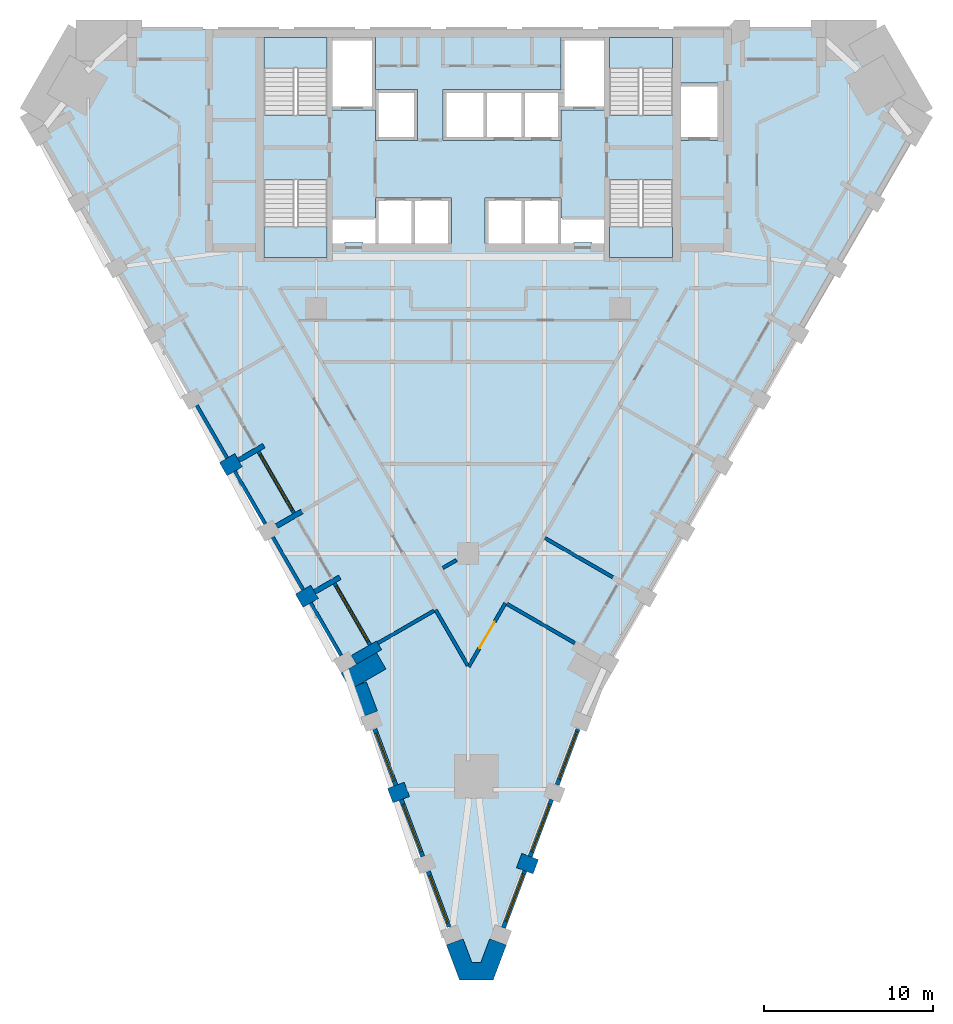
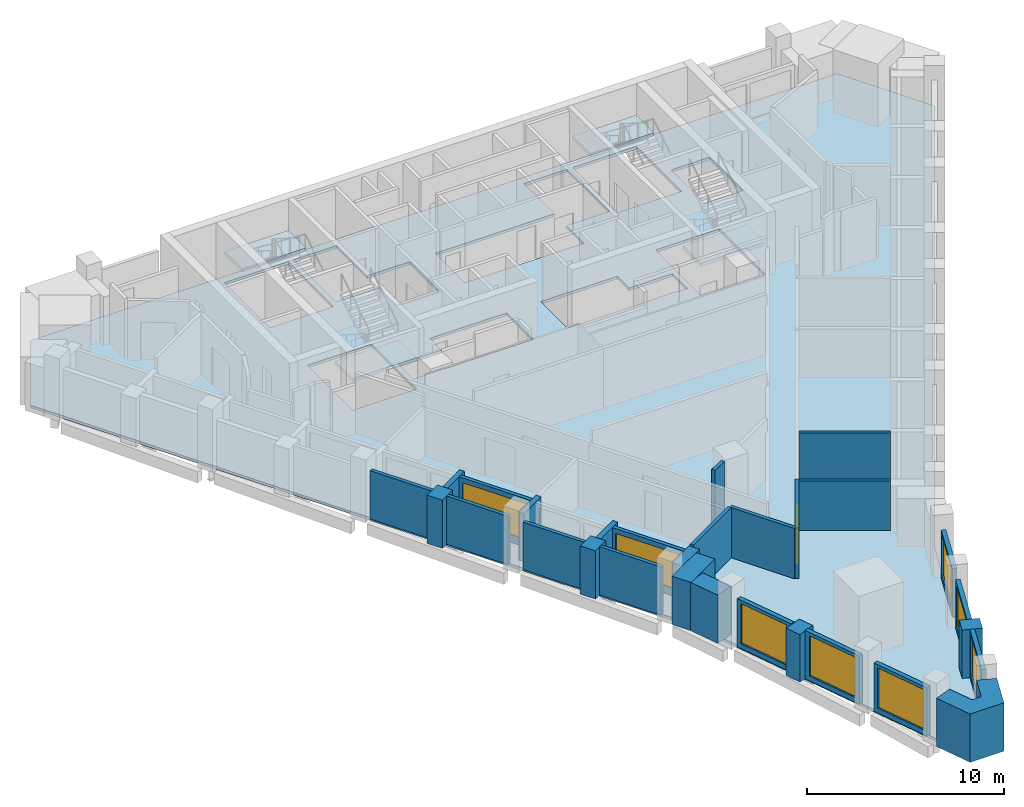
# One storey, part 2 of 9: 29 walls, 8 windows, 5 slabs, 1 door, 9 openings, 4 elements without a shape of their own.
"""IFC4 building model written with IfcOpenShell, lengths in metres."""

import ifcopenshell
import ifcopenshell.guid

model = None  # the IFC model being written
_history = None  # IfcOwnerHistory: only IFC2X3 demands one
_inside = {}  # id of a spatial element -> (the spatial element, [elements in it])
_under = {}  # id of a project, library or spatial element -> (it, [spatial elements below it])
_declared = {}  # id of a project -> (the project, [libraries it declares])
_typed = {}  # id of a type object -> (the type object, [elements of that type])
_made_of = {}  # id of a material, layer set ... -> (it, [elements and type objects made of it])


def new_model(schema):
    """Start an empty IFC model of exactly this schema.

    Asked for "IFC4X3", IfcOpenShell would pick the latest addendum, in which some entities
    have other attributes; the version numbers below select the first issue.
    IFC2X3 requires an IfcOwnerHistory on every rooted entity: one is made here for all.
    """
    global model, _history
    if schema == "IFC4X3":
        model = ifcopenshell.file(schema_version=(4, 3, 0, 0))
    else:
        model = ifcopenshell.file(schema=schema)
    _inside.clear()
    _under.clear()
    _declared.clear()
    _typed.clear()
    _made_of.clear()
    _history = None
    if model.schema == "IFC2X3":
        org = make("IfcOrganization", Name="unknown")
        user = make(
            "IfcPersonAndOrganization",
            ThePerson=make("IfcPerson", FamilyName="unknown"),
            TheOrganization=org,
        )
        app = make(
            "IfcApplication",
            ApplicationDeveloper=org,
            Version="unknown",
            ApplicationFullName="unknown",
            ApplicationIdentifier="unknown",
        )
        _history = make(
            "IfcOwnerHistory",
            OwningUser=user,
            OwningApplication=app,
            ChangeAction="ADDED",
            CreationDate=0,
        )
    return model


def make(cls, **values):
    """One entity of the class cls with the attributes given. An attribute that is None is left unset."""
    return model.create_entity(
        cls, **{name: value for name, value in values.items() if value is not None}
    )


def rooted(cls, **values):
    """An entity with a GlobalId (a new one), such as an element, a storey or a relation."""
    return make(cls, GlobalId=ifcopenshell.guid.new(), OwnerHistory=_history, **values)


def si_unit(unit_type, name, prefix=None):
    """IfcSIUnit, for example si_unit("LENGTHUNIT", "METRE", prefix="MILLI")."""
    return make("IfcSIUnit", UnitType=unit_type, Prefix=prefix, Name=name)


def assignment(units):
    """IfcUnitAssignment: the units of a project."""
    return None if units is None else make("IfcUnitAssignment", Units=units)


def point(xyz):
    """IfcCartesianPoint."""
    return None if xyz is None else make("IfcCartesianPoint", Coordinates=xyz)


def direction(xyz):
    """IfcDirection."""
    return None if xyz is None else make("IfcDirection", DirectionRatios=xyz)


def frame(location, z_axis=None, x_axis=None):
    """IfcAxis2Placement3D, a coordinate frame: its origin and axes. An axis left out is left unset."""
    return make(
        "IfcAxis2Placement3D",
        Location=point(location),
        Axis=direction(z_axis),
        RefDirection=direction(x_axis),
    )


def frame_2d(location, x_axis=None):
    """IfcAxis2Placement2D, a coordinate frame in the plane: its origin and x axis."""
    return make(
        "IfcAxis2Placement2D", Location=point(location), RefDirection=direction(x_axis)
    )


def origin():
    """The frame at (0, 0, 0) with its axes left unset."""
    return frame((0.0, 0.0, 0.0))


def place(relative_to, where):
    """IfcLocalPlacement: puts the frame where relative to a parent placement (None: the world)."""
    return make(
        "IfcLocalPlacement", PlacementRelTo=relative_to, RelativePlacement=where
    )


def context(
    kind, dimensions, precision=None, world=None, true_north=None, identifier=None
):
    """IfcGeometricRepresentationContext, for example the 3D "Model" context."""
    return make(
        "IfcGeometricRepresentationContext",
        ContextIdentifier=identifier,
        ContextType=kind,
        CoordinateSpaceDimension=dimensions,
        Precision=precision,
        WorldCoordinateSystem=world,
        TrueNorth=true_north,
    )


def subcontext(parent, identifier, kind, view, scale=None):
    """IfcGeometricRepresentationSubContext, for example "Body" below "Model"."""
    return make(
        "IfcGeometricRepresentationSubContext",
        ContextIdentifier=identifier,
        ContextType=kind,
        ParentContext=parent,
        TargetScale=scale,
        TargetView=view,
    )


def project(units=None, contexts=None):
    """IfcProject with its units and contexts."""
    return rooted(
        "IfcProject",
        Name="project",
        RepresentationContexts=contexts,
        UnitsInContext=assignment(units),
    )


def spatial(cls, under=None, at=None, **own):
    """A site, building, storey or space (cls), placed at a placement, below another one or the project."""
    s = rooted(cls, ObjectPlacement=at, **own)
    if under is not None:
        _under.setdefault(under.id(), (under, []))[1].append(s)
    return s


def polyline(points):
    """IfcPolyline through the points."""
    return make("IfcPolyline", Points=[point(p) for p in points])


def profile(cls, at=None, kind="AREA", **sizes):
    """A parametric profile (cls). Its sizes go by their IFC names, for example OverallWidth=200.0."""
    return make(cls, ProfileType=kind, Position=at, **sizes)


def rectangle(**sizes):
    """IfcRectangleProfileDef."""
    return profile("IfcRectangleProfileDef", **sizes)


def outline(outer, holes=None, kind="AREA"):
    """IfcArbitraryClosedProfileDef: a profile drawn as a closed curve; with holes, ...WithVoids."""
    if holes is None:
        return make("IfcArbitraryClosedProfileDef", ProfileType=kind, OuterCurve=outer)
    return make(
        "IfcArbitraryProfileDefWithVoids",
        ProfileType=kind,
        OuterCurve=outer,
        InnerCurves=holes,
    )


def extrude(swept, where, along, depth):
    """IfcExtrudedAreaSolid: the profile swept, set in the frame where, extruded along a direction by depth."""
    return make(
        "IfcExtrudedAreaSolid",
        SweptArea=swept,
        Position=where,
        ExtrudedDirection=direction(along),
        Depth=depth,
    )


def shape(context_of_items, identifier, shape_type, items):
    """IfcShapeRepresentation: the items that make up one representation, for example the "Body"."""
    return make(
        "IfcShapeRepresentation",
        ContextOfItems=context_of_items,
        RepresentationIdentifier=identifier,
        RepresentationType=shape_type,
        Items=items,
    )


def material(Name=None, Category=None):
    """IfcMaterial."""
    return make("IfcMaterial", Name=Name, Category=Category)


def layer(
    of_material, thickness, ventilated=None, Name=None, Category=None, Priority=None
):
    """IfcMaterialLayer: one layer of a wall or slab, of a material (None: an air gap)."""
    return make(
        "IfcMaterialLayer",
        Material=of_material,
        LayerThickness=thickness,
        IsVentilated=ventilated,
        Name=Name,
        Category=Category,
        Priority=Priority,
    )


def layer_set(layers, Name=None):
    """IfcMaterialLayerSet."""
    return make("IfcMaterialLayerSet", MaterialLayers=layers, LayerSetName=Name)


def made_of(thing, what):
    """Note that an element or type object is made of a material, layer set ...; save() writes the relation."""
    if what is not None:
        _made_of.setdefault(what.id(), (what, []))[1].append(thing)
    return thing


def type_object(cls, material=None, **own):
    """A type object (cls), such as IfcWallType, which elements share."""
    return made_of(rooted(cls, **own), material)


def element(
    cls,
    number,
    at=None,
    inside=None,
    cuts=None,
    type_object=None,
    material=None,
    context=None,
    identifier="Body",
    shape_type=None,
    held_by="IfcProductDefinitionShape",
    body=None,
    shapes=None,
    **own,
):
    """One element of the class cls, such as IfcWall. Its Tag is "e" and its number.

    at: its placement. inside: the storey or other place that contains it. cuts: it is an
    opening in that element (IfcRelVoidsElement). A single representation is given by context,
    identifier, shape_type and body (its items); several are given by shapes. held_by: the class
    of the entity that holds the representations. save() writes the other relations.
    """
    e = rooted(cls, Tag="e%d" % number, ObjectPlacement=at, **own)
    if body is not None:
        shapes = [shape(context, identifier, shape_type, body)]
    if shapes is not None:
        e.Representation = make(held_by, Representations=shapes)
    if inside is not None:
        _inside.setdefault(inside.id(), (inside, []))[1].append(e)
    if cuts is not None:
        rooted(
            "IfcRelVoidsElement", RelatingBuildingElement=cuts, RelatedOpeningElement=e
        )
    if type_object is not None:
        _typed.setdefault(type_object.id(), (type_object, []))[1].append(e)
    return made_of(e, material)


def fill(opening, filler):
    """IfcRelFillsElement: the door or window that sits in an opening."""
    return rooted(
        "IfcRelFillsElement",
        RelatingOpeningElement=opening,
        RelatedBuildingElement=filler,
    )


def aggregate(whole, parts):
    """IfcRelAggregates: a whole, such as a stair, and the parts it consists of."""
    return rooted("IfcRelAggregates", RelatingObject=whole, RelatedObjects=parts)


def save(model, path):
    """Write the relations noted so far, then the file.

    IfcRelAggregates (storeys below a building ...), IfcRelContainedInSpatialStructure (elements
    in a storey), IfcRelDefinesByType, IfcRelAssociatesMaterial and IfcRelDeclares: one each for
    every whole, place, type object, material and project.
    """
    for whole, parts in _under.values():
        aggregate(whole, parts)
    for where, things in _inside.values():
        rooted(
            "IfcRelContainedInSpatialStructure",
            RelatedElements=things,
            RelatingStructure=where,
        )
    for kind, things in _typed.values():
        rooted("IfcRelDefinesByType", RelatedObjects=things, RelatingType=kind)
    for what, things in _made_of.values():
        rooted("IfcRelAssociatesMaterial", RelatedObjects=things, RelatingMaterial=what)
    for by, libraries in _declared.values():
        rooted("IfcRelDeclares", RelatingContext=by, RelatedDefinitions=libraries)
    model.write(path)


model = new_model("IFC4")

# Units and contexts
model_context = context("Model", 3, precision=1e-05, world=origin(), true_north=direction((0.0, 1.0)))
body_context = subcontext(model_context, "Body", "Model", "MODEL_VIEW")
ifc_project = project(units=[si_unit("LENGTHUNIT", "METRE"), si_unit("AREAUNIT", "SQUARE_METRE"), si_unit("VOLUMEUNIT", "CUBIC_METRE"), si_unit("PLANEANGLEUNIT", "RADIAN"), si_unit("MASSUNIT", "GRAM", prefix="KILO")], contexts=[model_context])

# Site, building, storey
site_placement = place(None, origin())
site = spatial("IfcSite", under=ifc_project, at=site_placement, CompositionType="ELEMENT")
building_placement = place(site_placement, origin())
building = spatial("IfcBuilding", under=site, at=building_placement, Name="Calabash Gate Tower", CompositionType="ELEMENT")
storey_placement = place(building_placement, frame((0.0, 0.0, 171.89990234375)))
storey = spatial("IfcBuildingStorey", under=building, at=storey_placement, Name="L40", CompositionType="ELEMENT", Elevation=171.89990234375)

# Slab
ifc_material_1 = material(Name="Concrete C40/50", Category="concrete")
ifc_layer_1 = layer(ifc_material_1, 0.169921875)
ifc_layer_set_1 = layer_set([ifc_layer_1], Name="Composite floor slab 170 Concrete C40/50")
slab_type_1 = type_object("IfcSlabType", Name="Composite floor slab 170 Concrete C40/50", PredefinedType="FLOOR", material=ifc_layer_set_1)
slab_1_placement = place(storey_placement, frame((0.0, 0.0, -0.169921875)))
element("IfcSlab", 1, at=slab_1_placement, inside=storey, type_object=slab_type_1, Name="Floor slab L40", PredefinedType="FLOOR", context=body_context, shape_type="SweptSolid", body=[
    extrude(outline(polyline([(-23.2216796875, 19.052490234375), (24.18115234375, 19.052490234375), (27.04638671875, 14.08984375), (7.479736328125, -19.800537109375), (1.113037109375, -36.739990234375), (-0.153564453125, -36.739990234375), (-6.520263671875, -19.800537109375), (-26.0869140625, 14.08984375), (-23.2216796875, 19.052490234375)]), holes=[polyline([(-3.25, 9.052490234375), (-5.5, 9.052490234375), (-5.5, 7.8525390625), (-8.050048828125, 7.8525390625), (-8.050048828125, 6.3525390625), (-7.324951171875, 6.3525390625), (-7.324951171875, 6.402587890625), (-6.22509765625, 6.402587890625), (-6.22509765625, 6.3525390625), (-5.5, 6.3525390625), (-3.25, 6.3525390625), (-1.0, 6.3525390625), (-1.0, 9.052490234375), (-3.25, 9.052490234375)]), polyline([(5.5, 6.3525390625), (6.22509765625, 6.3525390625), (6.22509765625, 6.402587890625), (7.324951171875, 6.402587890625), (7.324951171875, 6.3525390625), (8.050048828125, 6.3525390625), (8.050048828125, 7.8525390625), (5.5, 7.8525390625), (5.5, 9.052490234375), (3.25, 9.052490234375), (1.0, 9.052490234375), (1.0, 6.3525390625), (3.25, 6.3525390625), (5.5, 6.3525390625)]), polyline([(-5.5, 12.45263671875), (-3.0, 12.45263671875), (-3.0, 15.45263671875), (-5.5, 15.45263671875), (-5.5, 18.552490234375), (-8.050048828125, 18.552490234375), (-8.050048828125, 14.252685546875), (-5.5, 14.252685546875), (-5.5, 12.45263671875)]), polyline([(-1.5, 15.45263671875), (-1.5, 12.45263671875), (1.0, 12.45263671875), (3.25, 12.45263671875), (5.5, 12.45263671875), (5.5, 14.252685546875), (8.050048828125, 14.252685546875), (8.050048828125, 18.552490234375), (5.5, 18.552490234375), (5.5, 15.45263671875), (3.25, 15.45263671875), (1.0, 15.45263671875), (-1.5, 15.45263671875)]), polyline([(14.85009765625, 15.8525390625), (12.60009765625, 15.8525390625), (12.60009765625, 12.45263671875), (14.85009765625, 12.45263671875), (14.85009765625, 15.8525390625)]), polyline([(-8.35009765625, 18.552490234375), (-12.10009765625, 18.552490234375), (-12.10009765625, 13.95263671875), (-8.35009765625, 13.95263671875), (-8.35009765625, 18.552490234375)]), polyline([(-12.10009765625, 10.1025390625), (-12.10009765625, 5.502685546875), (-8.35009765625, 5.502685546875), (-8.35009765625, 10.1025390625), (-12.10009765625, 10.1025390625)]), polyline([(8.35009765625, 13.95263671875), (12.10009765625, 13.95263671875), (12.10009765625, 18.552490234375), (8.35009765625, 18.552490234375), (8.35009765625, 13.95263671875)]), polyline([(12.10009765625, 5.502685546875), (12.10009765625, 10.1025390625), (8.35009765625, 10.1025390625), (8.35009765625, 5.502685546875), (12.10009765625, 5.502685546875)])]), origin(), (0.0, 0.0, 1.0), 0.169921875),
])

# Stair, slab
ifc_material_2 = material(Name="Concrete C40/50", Category="concrete")
stair_type = type_object("IfcStairType", Name="Exit stair 22 risers of 177.3 mm", PredefinedType="HALF_TURN_STAIR", material=ifc_material_2)
stair_1_placement = place(storey_placement, origin())
stair_1 = element("IfcStair", 2, at=stair_1_placement, inside=storey, type_object=stair_type, Name="L40 Exit stair ST1", PredefinedType="HALF_TURN_STAIR")
ifc_material_3 = material(Name="Concrete C40/50", Category="concrete")
ifc_layer_2 = layer(ifc_material_3, 0.199951171875)
ifc_layer_set_2 = layer_set([ifc_layer_2], Name="Stair landing SL200")
slab_type_2 = type_object("IfcSlabType", Name="Stair landing SL200", PredefinedType="LANDING", material=ifc_layer_set_2)
slab_2_placement = place(storey_placement, frame((0.0, 0.0, 1.75)))
slab_2 = element("IfcSlab", 3, at=slab_2_placement, type_object=slab_type_2, Name="ST1 landing 1", PredefinedType="LANDING", context=body_context, shape_type="SweptSolid", body=[
    extrude(outline(polyline([(-8.35009765625, 16.74267578125), (-8.35009765625, 18.552490234375), (-12.10009765625, 18.552490234375), (-12.10009765625, 16.74267578125), (-8.35009765625, 16.74267578125)])), origin(), (0.0, 0.0, 1.0), 0.2001953125),
])
aggregate(stair_1, [slab_2])

stair_2_placement = place(storey_placement, origin())
stair_2 = element("IfcStair", 4, at=stair_2_placement, inside=storey, type_object=stair_type, Name="L40 Exit stair ST2", PredefinedType="HALF_TURN_STAIR")
slab_3_placement = place(storey_placement, frame((0.0, 0.0, 1.75)))
slab_3 = element("IfcSlab", 5, at=slab_3_placement, type_object=slab_type_2, Name="ST2 landing 1", PredefinedType="LANDING", context=body_context, shape_type="SweptSolid", body=[
    extrude(outline(polyline([(-12.10009765625, 7.3125), (-12.10009765625, 5.502685546875), (-8.35009765625, 5.502685546875), (-8.35009765625, 7.3125), (-12.10009765625, 7.3125)])), origin(), (0.0, 0.0, 1.0), 0.2001953125),
])
aggregate(stair_2, [slab_3])

stair_3_placement = place(storey_placement, origin())
stair_3 = element("IfcStair", 6, at=stair_3_placement, inside=storey, type_object=stair_type, Name="L40 Exit stair ST3", PredefinedType="HALF_TURN_STAIR")
slab_4_placement = place(storey_placement, frame((0.0, 0.0, 1.75)))
slab_4 = element("IfcSlab", 7, at=slab_4_placement, type_object=slab_type_2, Name="ST3 landing 1", PredefinedType="LANDING", context=body_context, shape_type="SweptSolid", body=[
    extrude(outline(polyline([(12.10009765625, 16.74267578125), (12.10009765625, 18.552490234375), (8.35009765625, 18.552490234375), (8.35009765625, 16.74267578125), (12.10009765625, 16.74267578125)])), origin(), (0.0, 0.0, 1.0), 0.2001953125),
])
aggregate(stair_3, [slab_4])

stair_4_placement = place(storey_placement, origin())
stair_4 = element("IfcStair", 8, at=stair_4_placement, inside=storey, type_object=stair_type, Name="L40 Exit stair ST4", PredefinedType="HALF_TURN_STAIR")
slab_5_placement = place(storey_placement, frame((0.0, 0.0, 1.75)))
slab_5 = element("IfcSlab", 9, at=slab_5_placement, type_object=slab_type_2, Name="ST4 landing 1", PredefinedType="LANDING", context=body_context, shape_type="SweptSolid", body=[
    extrude(outline(polyline([(8.35009765625, 7.3125), (8.35009765625, 5.502685546875), (12.10009765625, 5.502685546875), (12.10009765625, 7.3125), (8.35009765625, 7.3125)])), origin(), (0.0, 0.0, 1.0), 0.2001953125),
])
aggregate(stair_4, [slab_5])

# Walls
ifc_material_4 = material(Name="Terracotta brick masonry, exposed face", Category="masonry")
ifc_layer_3 = layer(ifc_material_4, 2.425048828125)
ifc_layer_set_3 = layer_set([ifc_layer_3], Name="Brick corner mass wall 2425")
wall_type_1 = type_object("IfcWallType", Name="Brick corner mass wall 2425", PredefinedType="SOLIDWALL", material=ifc_layer_set_3)
wall_1_placement = place(storey_placement, frame((-5.154052734375, -18.366943359375, 0.0), z_axis=(0.0, 0.0, 1.0), x_axis=(-0.865997808697, -0.500047793048, 0.0)))
element("IfcWall", 10, at=wall_1_placement, inside=storey, type_object=wall_type_1, Name="Brick corner pier S11 1", PredefinedType="SOLIDWALL", context=body_context, shape_type="SweptSolid", body=[
    extrude(rectangle(XDim=2.425048828125, YDim=1.11669921875, at=frame_2d((1.21240234375, 0.0))), origin(), (0.0, 0.0, 1.0), 3.0),
])
ifc_material_5 = material(Name="Terracotta brick masonry, exposed face", Category="masonry")
ifc_layer_4 = layer(ifc_material_5, 1.050048828125)
ifc_layer_set_4 = layer_set([ifc_layer_4], Name="Brick end wall 1050")
wall_type_2 = type_object("IfcWallType", Name="Brick end wall 1050", PredefinedType="SOLIDWALL", material=ifc_layer_set_4)
for number, where, z_axis, x_axis, name in (
    (11, (-14.50830078125, -7.014892578125, 0.0), (0.0, 0.0, 1.0), (0.866088799389, 0.499890179513, 0.0), "Brick pier S11 SW0.5"),
    (12, (-10.00830078125, -14.80908203125, 0.0), (0.0, 0.0, 1.0), (0.866088799389, 0.499890179513, 0.0), "Brick pier S11 SW0.7"),
):
    element("IfcWall", number, at=place(storey_placement, frame(where, z_axis=z_axis, x_axis=x_axis)), inside=storey, type_object=wall_type_2, Name=name, PredefinedType="SOLIDWALL", context=body_context, shape_type="SweptSolid", body=[
        extrude(rectangle(XDim=1.050048828125, YDim=0.89990234375, at=frame_2d((0.52490234375, 0.0))), origin(), (0.0, 0.0, 1.0), 3.0),
    ])
wall_2_placement = place(storey_placement, frame((-4.6201171875, -26.348876953125, 0.0), z_axis=(0.0, 0.0, 1.0), x_axis=(0.936003928089, 0.351989554676, 0.0)))
element("IfcWall", 13, at=wall_2_placement, inside=storey, type_object=wall_type_2, Name="Brick pier S11 wedge1.1", PredefinedType="SOLIDWALL", context=body_context, shape_type="SweptSolid", body=[
    extrude(rectangle(XDim=1.050048828125, YDim=0.89990234375, at=frame_2d((0.52490234375, 0.0))), origin(), (0.0, 0.0, 1.0), 2.9501953125),
])
wall_3_placement = place(storey_placement, frame((3.99609375, -30.56103515625, 0.0), z_axis=(0.0, 0.0, 1.0), x_axis=(-0.936080509118, 0.351785844584, 0.0)))
element("IfcWall", 14, at=wall_3_placement, inside=storey, type_object=wall_type_2, Name="Brick pier S11 wedge3.1", PredefinedType="SOLIDWALL", context=body_context, shape_type="SweptSolid", body=[
    extrude(rectangle(XDim=1.050048828125, YDim=0.89990234375, at=frame_2d((0.52490234375, 0.0))), origin(), (0.0, 0.0, 1.0), 3.0),
])
wall_4_placement = place(storey_placement, origin())
element("IfcWall", 15, at=wall_4_placement, inside=storey, type_object=wall_type_2, Name="Brick end wall S11 1", PredefinedType="SOLIDWALL", context=body_context, shape_type="SweptSolid", body=[
    extrude(outline(polyline([(-5.378662109375, -21.345947265625), (-6.02880859375, -19.61572265625), (-6.520263671875, -19.800537109375), (-6.97509765625, -20.06298828125), (-6.99658203125, -20.025634765625), (-6.361572265625, -21.71533203125), (-5.378662109375, -21.345947265625)])), origin(), (0.0, 0.0, 1.0), 3.0),
])
wall_5_placement = place(storey_placement, origin())
element("IfcWall", 16, at=wall_5_placement, inside=storey, type_object=wall_type_2, Name="Brick end wall S11 2", PredefinedType="SOLIDWALL", context=body_context, shape_type="SweptSolid", body=[
    extrude(outline(polyline([(-1.295166015625, -35.19482421875), (-0.51708984375, -37.264892578125), (1.4765625, -37.264892578125), (2.254638671875, -35.194580078125), (1.271484375, -34.82568359375), (0.74951171875, -36.21484375), (0.2099609375, -36.21484375), (-0.312255859375, -34.825439453125), (-1.295166015625, -35.19482421875)])), origin(), (0.0, 0.0, 1.0), 3.0),
])
ifc_material_6 = material(Name="Terracotta brick masonry, exposed face", Category="masonry")
ifc_layer_5 = layer(ifc_material_6, 0.300048828125)
ifc_layer_set_5 = layer_set([ifc_layer_5], Name="Brick loggia cheek wall 300")
wall_type_3 = type_object("IfcWallType", Name="Brick loggia cheek wall 300", PredefinedType="SOLIDWALL", material=ifc_layer_set_5)
wall_6_placement = place(storey_placement, frame((-13.598876953125, -6.489990234375, 0.0), z_axis=(0.0, 0.0, 1.0), x_axis=(0.866013532718, 0.500020560727, 0.0)))
element("IfcWall", 17, at=wall_6_placement, inside=storey, type_object=wall_type_3, Name="Loggia cheek S11 SW0.5", PredefinedType="SOLIDWALL", context=body_context, shape_type="SweptSolid", body=[
    extrude(rectangle(XDim=1.72509765625, YDim=0.300048828125, at=frame_2d((0.862548828125, 0.0))), origin(), (0.0, 0.0, 1.0), 3.0),
])
wall_7_placement = place(storey_placement, frame((-11.348876953125, -10.386962890625, 0.0), z_axis=(0.0, 0.0, 1.0), x_axis=(0.866074815912, 0.499914405916, 0.0)))
element("IfcWall", 18, at=wall_7_placement, inside=storey, type_object=wall_type_3, Name="Loggia cheek S11 SW0.6", PredefinedType="SOLIDWALL", context=body_context, shape_type="SweptSolid", body=[
    extrude(rectangle(XDim=1.724853515625, YDim=0.300048828125, at=frame_2d((0.8623046875, 0.0))), origin(), (0.0, 0.0, 1.0), 3.0),
])
wall_8_placement = place(storey_placement, frame((-9.098876953125, -14.2841796875, 0.0), z_axis=(0.0, 0.0, 1.0), x_axis=(0.866013532718, 0.500020560727, 0.0)))
element("IfcWall", 19, at=wall_8_placement, inside=storey, type_object=wall_type_3, Name="Loggia cheek S11 SW0.7", PredefinedType="SOLIDWALL", context=body_context, shape_type="SweptSolid", body=[
    extrude(rectangle(XDim=1.72509765625, YDim=0.300048828125, at=frame_2d((0.862548828125, 0.0))), origin(), (0.0, 0.0, 1.0), 3.0),
])
wall_9_placement = place(storey_placement, frame((-6.77392578125, -18.311279296875, 0.0), z_axis=(0.0, 0.0, 1.0), x_axis=(0.866013532718, 0.500020560727, 0.0)))
element("IfcWall", 20, at=wall_9_placement, inside=storey, type_object=wall_type_3, Name="Loggia cheek S11 SW0.8", PredefinedType="SOLIDWALL", context=body_context, shape_type="SweptSolid", body=[
    extrude(rectangle(XDim=1.72509765625, YDim=0.60009765625, at=frame_2d((0.862548828125, 0.0))), origin(), (0.0, 0.0, 1.0), 3.0),
])
ifc_material_7 = material(Name="Gypsum board on steel studs, mineral wool", Category="steel")
ifc_layer_6 = layer(ifc_material_7, 0.199951171875)
ifc_layer_set_6 = layer_set([ifc_layer_6], Name="Partition 200 gypsum board EI 60")
wall_type_4 = type_object("IfcWallType", Name="Partition 200 gypsum board EI 60", PredefinedType="PARTITIONING", material=ifc_layer_set_6)
wall_10_placement = place(storey_placement, frame((-1.935791015625, -15.34521484375, 0.0), z_axis=(0.0, 0.0, 1.0), x_axis=(0.500383446004, -0.865803907918, 0.0)))
element("IfcWall", 21, at=wall_10_placement, inside=storey, type_object=wall_type_4, Name="Partition", PredefinedType="PARTITIONING", context=body_context, shape_type="SweptSolid", body=[
    extrude(rectangle(XDim=3.80419921875, YDim=0.199951171875, at=frame_2d((1.902099609375, 0.0))), origin(), (0.0, 0.0, 1.0), 3.128173828125),
])
wall_11_placement = place(storey_placement, frame((2.286865234375, -14.99560546875, 0.0), z_axis=(0.0, 0.0, 1.0), x_axis=(0.866183837695, -0.499725483956, 0.0)))
element("IfcWall", 22, at=wall_11_placement, inside=storey, type_object=wall_type_4, Name="Partition", PredefinedType="PARTITIONING", context=body_context, shape_type="SweptSolid", body=[
    extrude(rectangle(XDim=4.6494140625, YDim=0.199951171875, at=frame_2d((2.32470703125, 0.0))), origin(), (0.0, 0.0, 1.0), 3.052001953125),
])
wall_12_placement = place(storey_placement, frame((-5.354736328125, -17.319091796875, 0.0), z_axis=(0.0, 0.0, 1.0), x_axis=(0.866214094833, 0.499673035007, 0.0)))
element("IfcWall", 23, at=wall_12_placement, inside=storey, type_object=wall_type_4, Name="Partition", PredefinedType="PARTITIONING", context=body_context, shape_type="SweptSolid", body=[
    extrude(rectangle(XDim=3.84912109375, YDim=0.199951171875, at=frame_2d((1.924560546875, 0.0))), origin(), (0.0, 0.0, 1.0), 3.128173828125),
])

# Wall, opening, door
wall_13_placement = place(storey_placement, frame((0.017822265625, -18.725341796875, 0.0), z_axis=(0.0, 0.0, 1.0), x_axis=(0.500372623754, 0.865810162448, 0.0)))
wall_13 = element("IfcWall", 24, at=wall_13_placement, inside=storey, type_object=wall_type_4, Name="Partition", PredefinedType="PARTITIONING", context=body_context, shape_type="SweptSolid", body=[
    extrude(rectangle(XDim=4.365966796875, YDim=0.199951171875, at=frame_2d((2.18310546875, 0.0))), origin(), (0.0, 0.0, 1.0), 3.128173828125),
])
opening_1_placement = place(wall_13_placement, frame((1.283203125, 0.0, 0.0)))
opening_1 = element("IfcOpeningElement", 25, at=opening_1_placement, cuts=wall_13, Name="Opening 39-41-013", PredefinedType="OPENING", context=body_context, shape_type="SweptSolid", body=[
    extrude(rectangle(XDim=1.800048828125, YDim=2.39990234375, at=frame_2d((0.89990234375, 1.199951171875))), frame((0.0, 0.10986328125, 0.0), z_axis=(0.0, -1.0, 0.0), x_axis=(1.0, 0.0, 0.0)), (0.0, 0.0, 1.0), 0.219970703125),
])
ifc_material_8 = material(Name="Steel fire door set with fire-resisting glazing", Category="steel")
door_type = type_object("IfcDoorType", Name="OD5 Open office double door 1800x2400", OperationType="NOTDEFINED", PredefinedType="DOOR", material=ifc_material_8)
door_placement = place(opening_1_placement, origin())
door = element("IfcDoor", 26, at=door_placement, inside=storey, type_object=door_type, Name="Open office double door", OperationType="DOUBLE_DOOR_SINGLE_SWING", OverallHeight=2.39990234375, OverallWidth=1.800048828125, PredefinedType="DOOR", context=body_context, shape_type="SweptSolid", body=[
    extrude(rectangle(XDim=1.800048828125, YDim=2.39990234375, at=frame_2d((0.89990234375, 1.199951171875))), frame((0.0, 0.02490234375, 0.0), z_axis=(0.0, -1.0, 0.0), x_axis=(1.0, 0.0, 0.0)), (0.0, 0.0, 1.0), 0.050048828125),
])
fill(opening_1, door)

# Walls
wall_14_placement = place(storey_placement, frame((-1.51220703125, -12.870849609375, 0.0), z_axis=(0.0, 0.0, 1.0), x_axis=(0.866909118008, 0.498466228659, 0.0)))
element("IfcWall", 27, at=wall_14_placement, inside=storey, type_object=wall_type_4, Name="Partition", PredefinedType="PARTITIONING", context=body_context, shape_type="SweptSolid", body=[
    extrude(rectangle(XDim=0.93701171875, YDim=0.199951171875, at=frame_2d((0.468505859375, 0.0))), origin(), (0.0, 0.0, 1.0), 3.72998046875),
])
wall_15_placement = place(storey_placement, frame((4.53857421875, -11.09521484375, 0.0), z_axis=(0.0, 0.0, 1.0), x_axis=(0.865854964183, -0.50029509392, 0.0)))
element("IfcWall", 28, at=wall_15_placement, inside=storey, type_object=wall_type_4, Name="Partition", PredefinedType="PARTITIONING", context=body_context, shape_type="SweptSolid", body=[
    extrude(rectangle(XDim=4.649658203125, YDim=0.199951171875, at=frame_2d((2.32470703125, 0.0))), origin(), (0.0, 0.0, 1.0), 2.88427734375),
])

# Wall, opening, window
ifc_material_9 = material(Name="Aluminium framed window wall with insulated spandrel", Category="aluminium")
ifc_layer_7 = layer(ifc_material_9, 0.25)
ifc_layer_set_7 = layer_set([ifc_layer_7], Name="Prow window wall 250")
wall_type_5 = type_object("IfcWallType", Name="Prow window wall 250", PredefinedType="ELEMENTEDWALL", material=ifc_layer_set_7)
wall_16_placement = place(storey_placement, frame((-5.535888671875, -22.419921875, 0.0), z_axis=(0.0, 0.0, 1.0), x_axis=(0.351861542378, -0.936052057845, 0.0)))
wall_16 = element("IfcWall", 29, at=wall_16_placement, inside=storey, type_object=wall_type_5, Name="Prow window wall S11 wedge1.1", PredefinedType="ELEMENTEDWALL", context=body_context, shape_type="SweptSolid", body=[
    extrude(rectangle(XDim=3.5517578125, YDim=0.25, at=frame_2d((1.77587890625, 0.0))), origin(), (0.0, 0.0, 1.0), 3.0),
])
opening_2_placement = place(wall_16_placement, frame((0.25, 0.0, 0.300048828125)))
opening_2 = element("IfcOpeningElement", 30, at=opening_2_placement, cuts=wall_16, Name="Opening WP2", PredefinedType="OPENING", context=body_context, shape_type="SweptSolid", body=[
    extrude(rectangle(XDim=3.0, YDim=2.5, at=frame_2d((1.5, 1.25))), frame((0.0, 0.135009765625, 0.0), z_axis=(0.0, -1.0, 0.0), x_axis=(1.0, 0.0, 0.0)), (0.0, 0.0, 1.0), 0.27001953125),
])
ifc_material_10 = material(Name="Anodised aluminium frame, bronze finish, impact-rated laminated clear glazing", Category="aluminium")
window_type_1 = type_object("IfcWindowType", Name="Window WP2 3000x2500", PartitioningType="DOUBLE_PANEL_VERTICAL", PredefinedType="WINDOW", material=ifc_material_10)
window_1_placement = place(opening_2_placement, origin())
window_1 = element("IfcWindow", 31, at=window_1_placement, inside=storey, type_object=window_type_1, Name="Prow window WP2 S11 wedge1.1", OverallHeight=2.5, OverallWidth=3.0, PartitioningType="SINGLE_PANEL", PredefinedType="WINDOW", context=body_context, shape_type="SweptSolid", body=[
    extrude(rectangle(XDim=3.0, YDim=2.5, at=frame_2d((1.5, 1.25))), frame((0.0, 0.030029296875, 0.0), z_axis=(0.0, -1.0, 0.0), x_axis=(1.0, 0.0, 0.0)), (0.0, 0.0, 1.0), 0.06005859375),
])
fill(opening_2, window_1)

wall_17_placement = place(storey_placement, frame((-3.97021484375, -26.585205078125, 0.0), z_axis=(0.0, 0.0, 1.0), x_axis=(0.351829371284, -0.936064150314, 0.0)))
wall_17 = element("IfcWall", 32, at=wall_17_placement, inside=storey, type_object=wall_type_5, Name="Prow window wall S11 wedge1.2", PredefinedType="ELEMENTEDWALL", context=body_context, shape_type="SweptSolid", body=[
    extrude(rectangle(XDim=3.60009765625, YDim=0.25, at=frame_2d((1.800048828125, 0.0))), origin(), (0.0, 0.0, 1.0), 3.0),
])
opening_3_placement = place(wall_17_placement, frame((0.300048828125, 0.0, 0.300048828125)))
opening_3 = element("IfcOpeningElement", 33, at=opening_3_placement, cuts=wall_17, Name="Opening WP2", PredefinedType="OPENING", context=body_context, shape_type="SweptSolid", body=[
    extrude(rectangle(XDim=3.0, YDim=2.5, at=frame_2d((1.5, 1.25))), frame((0.0, 0.135009765625, 0.0), z_axis=(0.0, -1.0, 0.0), x_axis=(1.0, 0.0, 0.0)), (0.0, 0.0, 1.0), 0.27001953125),
])
window_2_placement = place(opening_3_placement, origin())
window_2 = element("IfcWindow", 34, at=window_2_placement, inside=storey, type_object=window_type_1, Name="Prow window WP2 S11 wedge1.2", OverallHeight=2.5, OverallWidth=3.0, PartitioningType="SINGLE_PANEL", PredefinedType="WINDOW", context=body_context, shape_type="SweptSolid", body=[
    extrude(rectangle(XDim=3.0, YDim=2.5, at=frame_2d((1.5, 1.25))), frame((0.0, 0.030029296875, 0.0), z_axis=(0.0, -1.0, 0.0), x_axis=(1.0, 0.0, 0.0)), (0.0, 0.0, 1.0), 0.06005859375),
])
fill(opening_3, window_2)

wall_18_placement = place(storey_placement, frame((-2.369384765625, -30.844482421875, 0.0), z_axis=(0.0, 0.0, 1.0), x_axis=(0.351788440802, -0.936079533436, 0.0)))
wall_18 = element("IfcWall", 35, at=wall_18_placement, inside=storey, type_object=wall_type_5, Name="Prow window wall S11 wedge1.3", PredefinedType="ELEMENTEDWALL", context=body_context, shape_type="SweptSolid", body=[
    extrude(rectangle(XDim=3.499755859375, YDim=0.25, at=frame_2d((1.75, 0.0))), origin(), (0.0, 0.0, 1.0), 3.0),
])
opening_4_placement = place(wall_18_placement, frame((0.25, 0.0, 0.300048828125)))
opening_4 = element("IfcOpeningElement", 36, at=opening_4_placement, cuts=wall_18, Name="Opening WP2", PredefinedType="OPENING", context=body_context, shape_type="SweptSolid", body=[
    extrude(rectangle(XDim=3.0, YDim=2.5, at=frame_2d((1.5, 1.25))), frame((0.0, 0.135009765625, 0.0), z_axis=(0.0, -1.0, 0.0), x_axis=(1.0, 0.0, 0.0)), (0.0, 0.0, 1.0), 0.27001953125),
])
window_3_placement = place(opening_4_placement, origin())
window_3 = element("IfcWindow", 37, at=window_3_placement, inside=storey, type_object=window_type_1, Name="Prow window WP2 S11 wedge1.3", OverallHeight=2.5, OverallWidth=3.0, PartitioningType="SINGLE_PANEL", PredefinedType="WINDOW", context=body_context, shape_type="SweptSolid", body=[
    extrude(rectangle(XDim=3.0, YDim=2.5, at=frame_2d((1.5, 1.25))), frame((0.0, 0.030029296875, 0.0), z_axis=(0.0, -1.0, 0.0), x_axis=(1.0, 0.0, 0.0)), (0.0, 0.0, 1.0), 0.06005859375),
])
fill(opening_4, window_3)

wall_19_placement = place(storey_placement, frame((2.079833984375, -34.16748046875, 0.0), z_axis=(0.0, 0.0, 1.0), x_axis=(0.351829371284, 0.936064150314, 0.0)))
wall_19 = element("IfcWall", 38, at=wall_19_placement, inside=storey, type_object=wall_type_5, Name="Prow window wall S11 wedge3.1", PredefinedType="ELEMENTEDWALL", context=body_context, shape_type="SweptSolid", body=[
    extrude(rectangle(XDim=3.60009765625, YDim=0.25, at=frame_2d((1.800048828125, 0.0))), origin(), (0.0, 0.0, 1.0), 3.0),
])
opening_5_placement = place(wall_19_placement, frame((0.39990234375, 0.0, 0.300048828125)))
opening_5 = element("IfcOpeningElement", 39, at=opening_5_placement, cuts=wall_19, Name="Opening WP2", PredefinedType="OPENING", context=body_context, shape_type="SweptSolid", body=[
    extrude(rectangle(XDim=3.0, YDim=2.5, at=frame_2d((1.5, 1.25))), frame((0.0, 0.135009765625, 0.0), z_axis=(0.0, -1.0, 0.0), x_axis=(1.0, 0.0, 0.0)), (0.0, 0.0, 1.0), 0.27001953125),
])
window_4_placement = place(opening_5_placement, origin())
window_4 = element("IfcWindow", 40, at=window_4_placement, inside=storey, type_object=window_type_1, Name="Prow window WP2 S11 wedge3.1", OverallHeight=2.5, OverallWidth=3.0, PartitioningType="SINGLE_PANEL", PredefinedType="WINDOW", context=body_context, shape_type="SweptSolid", body=[
    extrude(rectangle(XDim=3.0, YDim=2.5, at=frame_2d((1.5, 1.25))), frame((0.0, 0.030029296875, 0.0), z_axis=(0.0, -1.0, 0.0), x_axis=(1.0, 0.0, 0.0)), (0.0, 0.0, 1.0), 0.06005859375),
])
fill(opening_5, window_4)

wall_20_placement = place(storey_placement, frame((3.6630859375, -29.955078125, 0.0), z_axis=(0.0, 0.0, 1.0), x_axis=(0.351829371284, 0.936064150314, 0.0)))
wall_20 = element("IfcWall", 41, at=wall_20_placement, inside=storey, type_object=wall_type_5, Name="Prow window wall S11 wedge3.2", PredefinedType="ELEMENTEDWALL", context=body_context, shape_type="SweptSolid", body=[
    extrude(rectangle(XDim=3.60009765625, YDim=0.25, at=frame_2d((1.800048828125, 0.0))), origin(), (0.0, 0.0, 1.0), 3.0),
])
opening_6_placement = place(wall_20_placement, frame((0.300048828125, 0.0, 0.300048828125)))
opening_6 = element("IfcOpeningElement", 42, at=opening_6_placement, cuts=wall_20, Name="Opening WP2", PredefinedType="OPENING", context=body_context, shape_type="SweptSolid", body=[
    extrude(rectangle(XDim=3.0, YDim=2.5, at=frame_2d((1.5, 1.25))), frame((0.0, 0.135009765625, 0.0), z_axis=(0.0, -1.0, 0.0), x_axis=(1.0, 0.0, 0.0)), (0.0, 0.0, 1.0), 0.27001953125),
])
window_5_placement = place(opening_6_placement, origin())
window_5 = element("IfcWindow", 43, at=window_5_placement, inside=storey, type_object=window_type_1, Name="Prow window WP2 S11 wedge3.2", OverallHeight=2.5, OverallWidth=3.0, PartitioningType="SINGLE_PANEL", PredefinedType="WINDOW", context=body_context, shape_type="SweptSolid", body=[
    extrude(rectangle(XDim=3.0, YDim=2.5, at=frame_2d((1.5, 1.25))), frame((0.0, 0.030029296875, 0.0), z_axis=(0.0, -1.0, 0.0), x_axis=(1.0, 0.0, 0.0)), (0.0, 0.0, 1.0), 0.06005859375),
])
fill(opening_6, window_5)

wall_21_placement = place(storey_placement, frame((5.263916015625, -25.696044921875, 0.0), z_axis=(0.0, 0.0, 1.0), x_axis=(0.351788440802, 0.936079533436, 0.0)))
wall_21 = element("IfcWall", 44, at=wall_21_placement, inside=storey, type_object=wall_type_5, Name="Prow window wall S11 wedge3.3", PredefinedType="ELEMENTEDWALL", context=body_context, shape_type="SweptSolid", body=[
    extrude(rectangle(XDim=3.499755859375, YDim=0.25, at=frame_2d((1.75, 0.0))), origin(), (0.0, 0.0, 1.0), 3.0),
])
opening_7_placement = place(wall_21_placement, frame((0.35009765625, 0.0, 0.300048828125)))
opening_7 = element("IfcOpeningElement", 45, at=opening_7_placement, cuts=wall_21, Name="Opening WP2", PredefinedType="OPENING", context=body_context, shape_type="SweptSolid", body=[
    extrude(rectangle(XDim=3.0, YDim=2.5, at=frame_2d((1.5, 1.25))), frame((0.0, 0.135009765625, 0.0), z_axis=(0.0, -1.0, 0.0), x_axis=(1.0, 0.0, 0.0)), (0.0, 0.0, 1.0), 0.27001953125),
])
window_6_placement = place(opening_7_placement, origin())
window_6 = element("IfcWindow", 46, at=window_6_placement, inside=storey, type_object=window_type_1, Name="Prow window WP2 S11 wedge3.3", OverallHeight=2.5, OverallWidth=3.0, PartitioningType="SINGLE_PANEL", PredefinedType="WINDOW", context=body_context, shape_type="SweptSolid", body=[
    extrude(rectangle(XDim=3.0, YDim=2.5, at=frame_2d((1.5, 1.25))), frame((0.0, 0.030029296875, 0.0), z_axis=(0.0, -1.0, 0.0), x_axis=(1.0, 0.0, 0.0)), (0.0, 0.0, 1.0), 0.06005859375),
])
fill(opening_7, window_6)

# Walls
ifc_material_11 = material(Name="Terracotta brick masonry, perforated", Category="masonry")
ifc_layer_8 = layer(ifc_material_11, 0.199951171875)
ifc_layer_set_8 = layer_set([ifc_layer_8], Name="Terracotta jaali screen A")
wall_type_6 = type_object("IfcWallType", Name="Terracotta jaali screen A", PredefinedType="SOLIDWALL", material=ifc_layer_set_8)
for number, where, z_axis, x_axis, name in (
    (47, (-16.07861328125, -3.2451171875, 0.0), (0.0, 0.0, 1.0), (0.500012057535, -0.866018442252, 0.0), "SCREEN A S11 SW0.5"),
    (48, (-13.82861328125, -7.14208984375, 0.0), (0.0, 0.0, 1.0), (0.500012057535, -0.866018442252, 0.0), "SCREEN A S11 SW0.6"),
):
    element("IfcWall", number, at=place(storey_placement, frame(where, z_axis=z_axis, x_axis=x_axis)), inside=storey, type_object=wall_type_6, Name=name, PredefinedType="SOLIDWALL", context=body_context, shape_type="SweptSolid", body=[
        extrude(rectangle(XDim=3.60009765625, YDim=0.199951171875, at=frame_2d((1.800048828125, 0.0))), origin(), (0.0, 0.0, 1.0), 3.0),
    ])
wall_22_placement = place(storey_placement, frame((-11.57861328125, -11.039306640625, 0.0), z_axis=(0.0, 0.0, 1.0), x_axis=(0.500012057535, -0.866018442252, 0.0)))
element("IfcWall", 49, at=wall_22_placement, inside=storey, type_object=wall_type_6, Name="SCREEN A S11 SW0.7", PredefinedType="SOLIDWALL", context=body_context, shape_type="SweptSolid", body=[
    extrude(rectangle(XDim=3.60009765625, YDim=0.199951171875, at=frame_2d((1.800048828125, 0.0))), origin(), (0.0, 0.0, 1.0), 2.9501953125),
])
wall_23_placement = place(storey_placement, frame((-9.32861328125, -14.936279296875, 0.0), z_axis=(0.0, 0.0, 1.0), x_axis=(0.500012057535, -0.866018442252, 0.0)))
element("IfcWall", 50, at=wall_23_placement, inside=storey, type_object=wall_type_6, Name="SCREEN A S11 SW0.8", PredefinedType="SOLIDWALL", context=body_context, shape_type="SweptSolid", body=[
    extrude(rectangle(XDim=3.60009765625, YDim=0.199951171875, at=frame_2d((1.800048828125, 0.0))), origin(), (0.0, 0.0, 1.0), 3.0),
])

# Wall, opening, window
ifc_material_12 = material(Name="Aluminium framed window wall with insulated spandrel", Category="aluminium")
ifc_layer_9 = layer(ifc_material_12, 0.199951171875)
ifc_layer_set_9 = layer_set([ifc_layer_9], Name="Window wall 200")
wall_type_7 = type_object("IfcWallType", Name="Window wall 200", PredefinedType="ELEMENTEDWALL", material=ifc_layer_set_9)
wall_24_placement = place(storey_placement, frame((-12.419921875, -5.982421875, 0.0), z_axis=(0.0, 0.0, 1.0), x_axis=(0.500027713859, -0.866009402589, 0.0)))
wall_24 = element("IfcWall", 51, at=wall_24_placement, inside=storey, type_object=wall_type_7, Name="Window wall S11 SW0.6", PredefinedType="ELEMENTEDWALL", context=body_context, shape_type="SweptSolid", body=[
    extrude(rectangle(XDim=4.199951171875, YDim=0.199951171875, at=frame_2d((2.10009765625, 0.0))), origin(), (0.0, 0.0, 1.0), 3.0),
])
opening_8_placement = place(wall_24_placement, frame((0.199951171875, 0.0, 0.449951171875)))
opening_8 = element("IfcOpeningElement", 52, at=opening_8_placement, cuts=wall_24, Name="Opening OW2", PredefinedType="OPENING", context=body_context, shape_type="SweptSolid", body=[
    extrude(rectangle(XDim=3.800048828125, YDim=2.25, at=frame_2d((1.89990234375, 1.125))), frame((0.0, 0.10986328125, 0.0), z_axis=(0.0, -1.0, 0.0), x_axis=(1.0, 0.0, 0.0)), (0.0, 0.0, 1.0), 0.219970703125),
])
ifc_material_13 = material(Name="Anodised aluminium frame, bronze finish, impact-rated laminated clear glazing", Category="aluminium")
window_type_2 = type_object("IfcWindowType", Name="Window OW2 3800x2250", PartitioningType="TRIPLE_PANEL_VERTICAL", PredefinedType="WINDOW", material=ifc_material_13)
window_7_placement = place(opening_8_placement, origin())
window_7 = element("IfcWindow", 53, at=window_7_placement, inside=storey, type_object=window_type_2, Name="Window OW2 S11 SW0.6", OverallHeight=2.25, OverallWidth=3.800048828125, PartitioningType="SINGLE_PANEL", PredefinedType="WINDOW", context=body_context, shape_type="SweptSolid", body=[
    extrude(rectangle(XDim=3.800048828125, YDim=2.25, at=frame_2d((1.89990234375, 1.125))), frame((0.0, 0.030029296875, 0.0), z_axis=(0.0, -1.0, 0.0), x_axis=(1.0, 0.0, 0.0)), (0.0, 0.0, 1.0), 0.06005859375),
])
fill(opening_8, window_7)

wall_25_placement = place(storey_placement, frame((-7.919921875, -13.776611328125, 0.0), z_axis=(0.0, 0.0, 1.0), x_axis=(0.500027713859, -0.866009402589, 0.0)))
wall_25 = element("IfcWall", 54, at=wall_25_placement, inside=storey, type_object=wall_type_7, Name="Window wall S11 SW0.8", PredefinedType="ELEMENTEDWALL", context=body_context, shape_type="SweptSolid", body=[
    extrude(rectangle(XDim=4.199951171875, YDim=0.199951171875, at=frame_2d((2.10009765625, 0.0))), origin(), (0.0, 0.0, 1.0), 3.0),
])
opening_9_placement = place(wall_25_placement, frame((0.199951171875, 0.0, 0.449951171875)))
opening_9 = element("IfcOpeningElement", 55, at=opening_9_placement, cuts=wall_25, Name="Opening OW2", PredefinedType="OPENING", context=body_context, shape_type="SweptSolid", body=[
    extrude(rectangle(XDim=3.800048828125, YDim=2.25, at=frame_2d((1.89990234375, 1.125))), frame((0.0, 0.10986328125, 0.0), z_axis=(0.0, -1.0, 0.0), x_axis=(1.0, 0.0, 0.0)), (0.0, 0.0, 1.0), 0.219970703125),
])
window_8_placement = place(opening_9_placement, origin())
window_8 = element("IfcWindow", 56, at=window_8_placement, inside=storey, type_object=window_type_2, Name="Window OW2 S11 SW0.8", OverallHeight=2.25, OverallWidth=3.800048828125, PartitioningType="SINGLE_PANEL", PredefinedType="WINDOW", context=body_context, shape_type="SweptSolid", body=[
    extrude(rectangle(XDim=3.800048828125, YDim=2.25, at=frame_2d((1.89990234375, 1.125))), frame((0.0, 0.030029296875, 0.0), z_axis=(0.0, -1.0, 0.0), x_axis=(1.0, 0.0, 0.0)), (0.0, 0.0, 1.0), 0.06005859375),
])
fill(opening_9, window_8)

save(model, "model.ifc")
